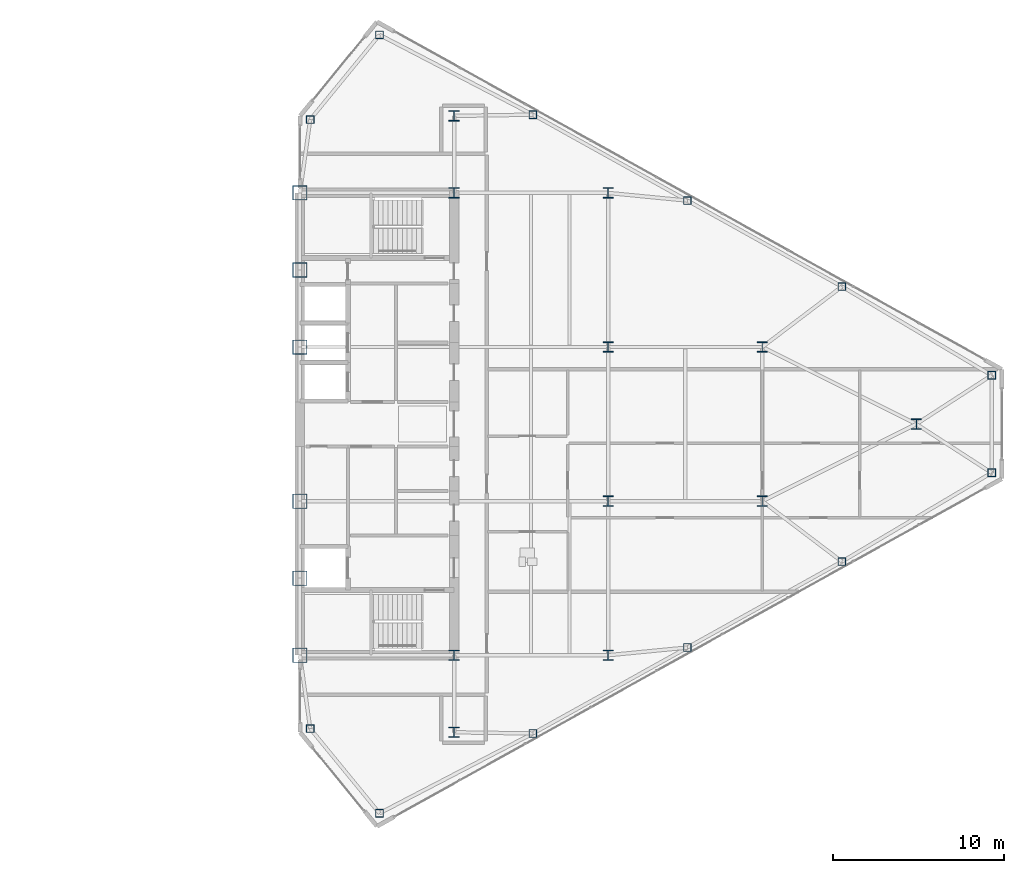
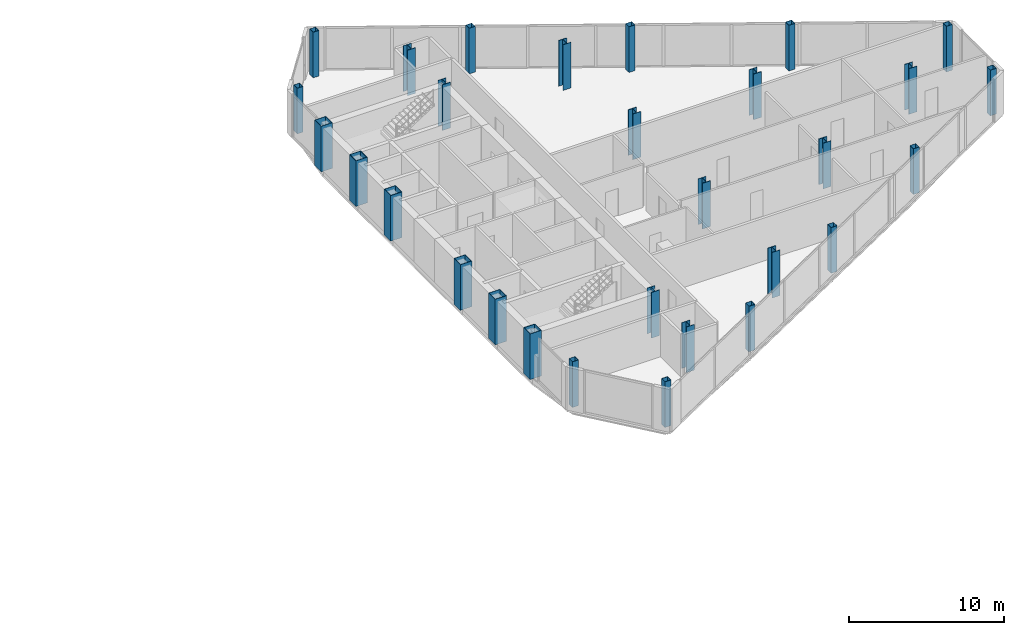
# One storey, part 2 of 26: 29 columns.
"""IFC4 building model written with IfcOpenShell, lengths in metres."""

from ifc_helpers import new_model, si_unit, direction, frame, origin, origin_2d, place, context, subcontext, project, spatial, hollow_rectangle, i_section, extrude, source, transform, mapped, material, material_profile, profile_set, type_object, type_shapes, element, save


model = new_model("IFC4")

# Units and contexts
model_context = context("Model", 3, precision=1e-05, world=origin(), true_north=direction((0.0, 1.0)))
body_context = subcontext(model_context, "Body", "Model", "MODEL_VIEW")
ifc_project = project(units=[si_unit("LENGTHUNIT", "METRE"), si_unit("AREAUNIT", "SQUARE_METRE"), si_unit("VOLUMEUNIT", "CUBIC_METRE"), si_unit("PLANEANGLEUNIT", "RADIAN"), si_unit("MASSUNIT", "GRAM", prefix="KILO")], contexts=[model_context])

# Site, building, storey
site_placement = place(None, origin())
site = spatial("IfcSite", under=ifc_project, at=site_placement, CompositionType="ELEMENT")
building_placement = place(site_placement, origin())
building = spatial("IfcBuilding", under=site, at=building_placement, Name="Seokmaru Belvedere", CompositionType="ELEMENT")
storey_placement = place(building_placement, frame((0.0, 0.0, 192.300048828125)))
storey = spatial("IfcBuildingStorey", under=building, at=storey_placement, Name="L51", CompositionType="ELEMENT", Elevation=192.300048828125)

# Columns
ifc_material_1 = material(Name="Steel SM355 (355 MPa)", Category="steel")
ifc_material_profile_1 = material_profile(ifc_material_1, hollow_rectangle(XDim=0.449951171875, YDim=0.449951171875, WallThickness=0.01806640625, at=origin_2d()), Name="HSS-450x450x18")
ifc_profile_set_1 = profile_set([ifc_material_profile_1], Name="Steel SM355 (355 MPa)")
column_type_1 = type_object("IfcColumnType", Name="Perimeter Facet Column HSS-450", PredefinedType="COLUMN", material=ifc_profile_set_1)
shared_shape_1 = source(origin(), body_context, "Body", "SweptSolid", [
    extrude(hollow_rectangle(XDim=0.449951171875, YDim=0.449951171875, WallThickness=0.01806640625, at=origin_2d()), origin(), (0.0, 0.0, 1.0), 3.599853515625),
])
type_shapes(column_type_1, [shared_shape_1])
for number, where, z_axis, x_axis, name in (
    (1, (32.146728515625, -22.731689453125, 0.0), (0.0, 0.0, 1.0), (1.0, 0.0, 0.0), "L51 Column EF1"),
    (2, (67.89990234375, -2.84716796875, 0.0), (0.0, 0.0, 1.0), (1.0, 0.0, 0.0), "L51 Column EF2"),
    (3, (67.89990234375, 2.84716796875, 0.0), (0.0, 0.0, 1.0), (1.0, 0.0, 0.0), "L51 Column EF3"),
    (4, (32.146728515625, 22.731689453125, 0.0), (0.0, 0.0, 1.0), (1.0, 0.0, 0.0), "L51 Column EF4"),
    (5, (28.10009765625, 17.785888671875, 0.0), (0.0, 0.0, 1.0), (1.0, 0.0, 0.0), "L51 Column EF5"),
    (6, (28.10009765625, -17.785888671875, 0.0), (0.0, 0.0, 1.0), (1.0, 0.0, 0.0), "L51 Column EF6"),
    (7, (41.103759765625, -18.07080078125, 0.0), (0.0, 0.0, 1.0), (1.0, 0.0, 0.0), "L51 Column EFLK_S1"),
    (8, (50.129150390625, -13.051025390625, 0.0), (0.0, 0.0, 1.0), (1.0, 0.0, 0.0), "L51 Column EFLK_S2"),
    (9, (59.154541015625, -8.031494140625, 0.0), (0.0, 0.0, 1.0), (1.0, 0.0, 0.0), "L51 Column EFLK_S3"),
    (10, (41.103759765625, 18.07080078125, 0.0), (0.0, 0.0, 1.0), (1.0, 0.0, 0.0), "L51 Column EFLK_N1"),
    (11, (50.129150390625, 13.051025390625, 0.0), (0.0, 0.0, 1.0), (1.0, 0.0, 0.0), "L51 Column EFLK_N2"),
    (12, (59.154541015625, 8.031494140625, 0.0), (0.0, 0.0, 1.0), (1.0, 0.0, 0.0), "L51 Column EFLK_N3"),
):
    element("IfcColumn", number, at=place(storey_placement, frame(where, z_axis=z_axis, x_axis=x_axis)), inside=storey, type_object=column_type_1, Name=name, PredefinedType="COLUMN", context=body_context, shape_type="MappedRepresentation", body=[
        mapped(shared_shape_1, transform((0.0, 0.0, 0.0), scale=1.0)),
    ])
ifc_material_2 = material(Name="Steel HSA650 (650 MPa)", Category="steel")
ifc_material_profile_2 = material_profile(ifc_material_2, hollow_rectangle(XDim=0.85009765625, YDim=0.85009765625, WallThickness=0.035888671875, at=origin_2d()), Name="BOX-850x850x36")
ifc_profile_set_2 = profile_set([ifc_material_profile_2], Name="Steel HSA650 (650 MPa)")
column_type_2 = type_object("IfcColumnType", Name="Portal Spine Column BOX-850", PredefinedType="COLUMN", material=ifc_profile_set_2)
shared_shape_2 = source(origin(), body_context, "Body", "SweptSolid", [
    extrude(hollow_rectangle(XDim=0.85009765625, YDim=0.85009765625, WallThickness=0.035888671875, at=origin_2d()), origin(), (0.0, 0.0, 1.0), 3.599853515625),
])
type_shapes(column_type_2, [shared_shape_2])
for number, where, z_axis, x_axis, name in (
    (13, (27.5, -13.5, 0.0), (0.0, 0.0, 1.0), (1.0, 0.0, 0.0), "L51 Column ES1"),
    (14, (27.5, -9.0, 0.0), (0.0, 0.0, 1.0), (1.0, 0.0, 0.0), "L51 Column ES2"),
    (15, (27.5, -4.5, 0.0), (0.0, 0.0, 1.0), (1.0, 0.0, 0.0), "L51 Column ES3"),
    (16, (27.5, 4.5, 0.0), (0.0, 0.0, 1.0), (1.0, 0.0, 0.0), "L51 Column ES4"),
    (17, (27.5, 9.0, 0.0), (0.0, 0.0, 1.0), (1.0, 0.0, 0.0), "L51 Column ES5"),
    (18, (27.5, 13.5, 0.0), (0.0, 0.0, 1.0), (1.0, 0.0, 0.0), "L51 Column ES6"),
):
    element("IfcColumn", number, at=place(storey_placement, frame(where, z_axis=z_axis, x_axis=x_axis)), inside=storey, type_object=column_type_2, Name=name, PredefinedType="COLUMN", context=body_context, shape_type="MappedRepresentation", body=[
        mapped(shared_shape_2, transform((0.0, 0.0, 0.0), scale=1.0)),
    ])
ifc_material_profile_3 = material_profile(ifc_material_1, i_section(OverallWidth=0.60009765625, OverallDepth=0.60009765625, WebThickness=0.02490234375, FlangeThickness=0.0400390625, at=origin_2d()), Name="H-600x600x25x40")
ifc_profile_set_3 = profile_set([ifc_material_profile_3], Name="Steel SM355 (355 MPa)")
column_type_3 = type_object("IfcColumnType", Name="Upper-Mid Interior Column H-600", PredefinedType="COLUMN", material=ifc_profile_set_3)
shared_shape_3 = source(origin(), body_context, "Body", "SweptSolid", [
    extrude(i_section(OverallWidth=0.60009765625, OverallDepth=0.60009765625, WebThickness=0.02490234375, FlangeThickness=0.0400390625, at=origin_2d()), origin(), (0.0, 0.0, 1.0), 3.599853515625),
])
type_shapes(column_type_3, [shared_shape_3])
for number, where, z_axis, x_axis, name in (
    (19, (36.5, -18.0, 0.0), (0.0, 0.0, 1.0), (1.0, 0.0, 0.0), "L51 Column EC1"),
    (20, (36.5, -13.5, 0.0), (0.0, 0.0, 1.0), (1.0, 0.0, 0.0), "L51 Column EC2"),
    (21, (36.5, 13.5, 0.0), (0.0, 0.0, 1.0), (1.0, 0.0, 0.0), "L51 Column EC3"),
    (22, (36.5, 18.0, 0.0), (0.0, 0.0, 1.0), (1.0, 0.0, 0.0), "L51 Column EC4"),
    (23, (45.5, -13.5, 0.0), (0.0, 0.0, 1.0), (1.0, 0.0, 0.0), "L51 Column EG5_1"),
    (24, (45.5, -4.5, 0.0), (0.0, 0.0, 1.0), (1.0, 0.0, 0.0), "L51 Column EG5_2"),
    (25, (45.5, 4.5, 0.0), (0.0, 0.0, 1.0), (1.0, 0.0, 0.0), "L51 Column EG5_3"),
    (26, (45.5, 13.5, 0.0), (0.0, 0.0, 1.0), (1.0, 0.0, 0.0), "L51 Column EG5_4"),
    (27, (54.5, -4.5, 0.0), (0.0, 0.0, 1.0), (1.0, 0.0, 0.0), "L51 Column EG4P_1"),
    (28, (54.5, 4.5, 0.0), (0.0, 0.0, 1.0), (1.0, 0.0, 0.0), "L51 Column EG4P_2"),
    (29, (63.5, 0.0, 0.0), (0.0, 0.0, 1.0), (1.0, 0.0, 0.0), "L51 Column EG3P_1"),
):
    element("IfcColumn", number, at=place(storey_placement, frame(where, z_axis=z_axis, x_axis=x_axis)), inside=storey, type_object=column_type_3, Name=name, PredefinedType="COLUMN", context=body_context, shape_type="MappedRepresentation", body=[
        mapped(shared_shape_3, transform((0.0, 0.0, 0.0), scale=1.0)),
    ])

save(model, "model.ifc")
